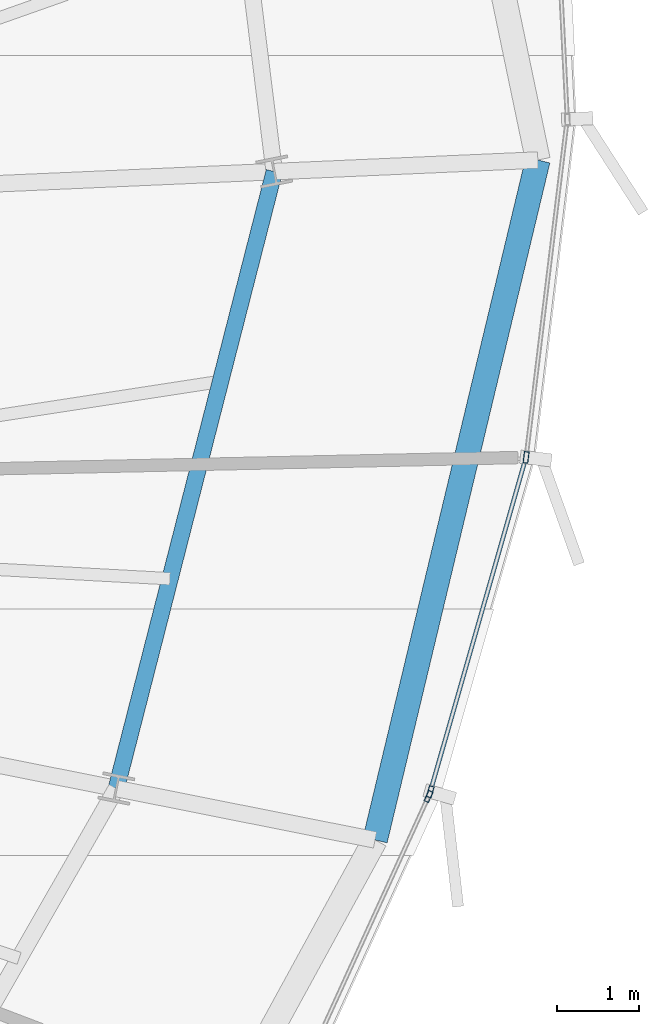
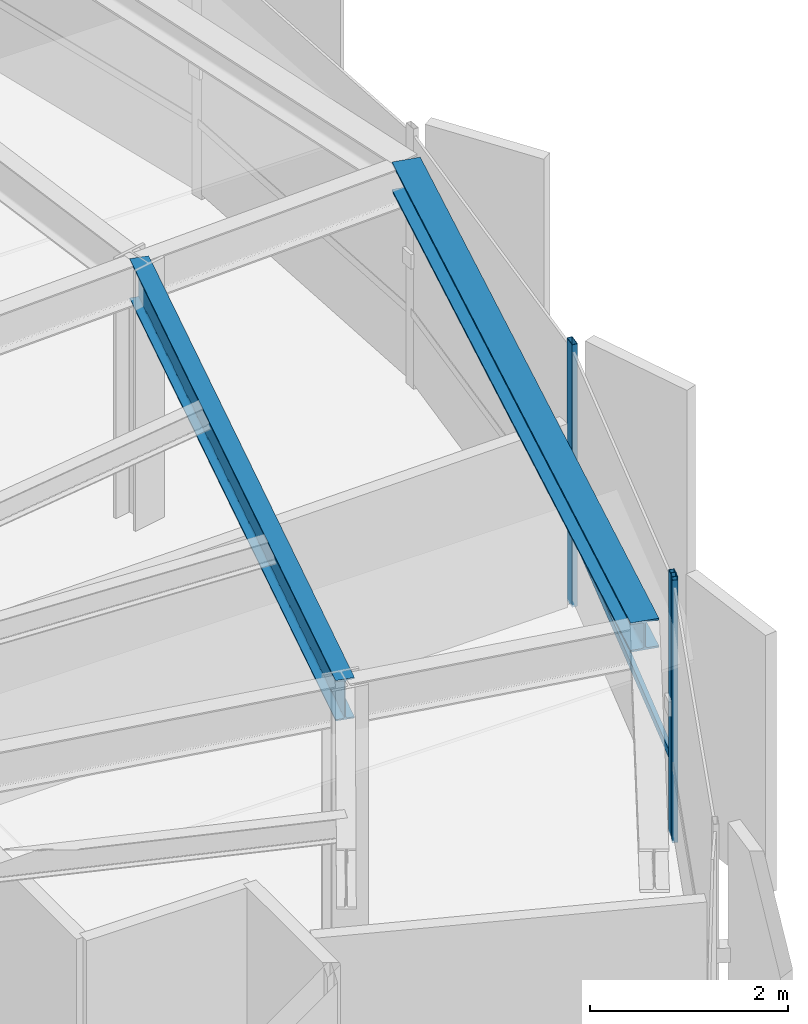
# One storey, part 15 of 34: 4 members, 2 beams, 2 elements without a shape of their own.
"""IFC4 building model written with IfcOpenShell, lengths in metres."""

from ifc_helpers import new_model, si_unit, direction, frame, origin, origin_2d, place, context, subcontext, project, spatial, hollow_rectangle, i_section, extrude, source, transform, mapped, material, layer, layer_set, material_profile, profile_set, type_object, element, aggregate, save


model = new_model("IFC4")

# Units and contexts
model_context = context("Model", 3, precision=1e-05, world=origin(), true_north=direction((0.0, 1.0)))
body_context = subcontext(model_context, "Body", "Model", "MODEL_VIEW")
ifc_project = project(units=[si_unit("LENGTHUNIT", "METRE"), si_unit("AREAUNIT", "SQUARE_METRE"), si_unit("VOLUMEUNIT", "CUBIC_METRE"), si_unit("PLANEANGLEUNIT", "RADIAN"), si_unit("MASSUNIT", "GRAM", prefix="KILO"), si_unit("THERMODYNAMICTEMPERATUREUNIT", "KELVIN")], contexts=[model_context])

# Site, building, storey
site_placement = place(None, origin())
site = spatial("IfcSite", under=ifc_project, at=site_placement, CompositionType="ELEMENT")
building_placement = place(site_placement, origin())
building = spatial("IfcBuilding", under=site, at=building_placement, Name="Kethvar Cultural Tower", CompositionType="ELEMENT")
storey_placement = place(building_placement, frame((0.0, 0.0, 214.89990234375)))
storey = spatial("IfcBuildingStorey", under=building, at=storey_placement, Name="L56", CompositionType="ELEMENT", Elevation=214.89990234375)

# Beams
ifc_material_1 = material(Name="Steel S355J2", Category="steel")
ifc_material_profile_1 = material_profile(ifc_material_1, i_section(OverallWidth=0.199951171875, OverallDepth=0.5, WebThickness=0.01025390625, FlangeThickness=0.01611328125, FilletRadius=0.02099609375, at=origin_2d()), Name="Steel S355J2 — IPE500")
ifc_profile_set_1 = profile_set([ifc_material_profile_1], Name="Steel S355J2 — IPE500")
beam_type_1 = type_object("IfcBeamType", Name="BM-IPE500", PredefinedType="BEAM", material=ifc_profile_set_1)
shared_shape_1 = source(origin(), body_context, "Body", "SweptSolid", [
    extrude(i_section(OverallWidth=0.199951171875, OverallDepth=0.5, WebThickness=0.01025390625, FlangeThickness=0.01611328125, FilletRadius=0.02099609375, at=origin_2d()), origin(), (0.0, 0.0, 1.0), 7.72265625),
])
beam_1_placement = place(storey_placement, frame((64.648681640625, 24.249755859375, 2.988037109375), z_axis=(0.248006445258, 0.968758382214, 0.0), x_axis=(-0.968758382214, 0.248006445258, 0.0)))
element("IfcBeam", 1, at=beam_1_placement, inside=storey, type_object=beam_type_1, Name="L56 Column Ring Tie Beam CR-16", PredefinedType="BEAM", context=body_context, shape_type="MappedRepresentation", body=[
    mapped(shared_shape_1, transform((0.0, 0.0, 0.0), scale=1.0)),
])
ifc_material_profile_2 = material_profile(ifc_material_1, i_section(OverallWidth=0.300048828125, OverallDepth=0.360107421875, WebThickness=0.012451171875, FlangeThickness=0.0224609375, FilletRadius=0.027099609375, at=origin_2d()), Name="Steel S355J2 — HEB360")
ifc_profile_set_2 = profile_set([ifc_material_profile_2], Name="Steel S355J2 — HEB360")
beam_type_2 = type_object("IfcBeamType", Name="BM-SP360", PredefinedType="SPANDREL", material=ifc_profile_set_2)
shared_shape_2 = source(origin(), body_context, "Body", "SweptSolid", [
    extrude(i_section(OverallWidth=0.300048828125, OverallDepth=0.360107421875, WebThickness=0.012451171875, FlangeThickness=0.0224609375, FilletRadius=0.027099609375, at=origin_2d()), origin(), (0.0, 0.0, 1.0), 8.47900390625),
])
beam_2_placement = place(storey_placement, frame((67.787109375, 23.62548828125, 3.05810546875), z_axis=(0.232794647368, 0.97252591336, 0.0), x_axis=(-0.97252591336, 0.232794647368, 0.0)))
element("IfcBeam", 2, at=beam_2_placement, inside=storey, type_object=beam_type_2, Name="L56 Perimeter Spandrel Beam SP-16", PredefinedType="SPANDREL", context=body_context, shape_type="MappedRepresentation", body=[
    mapped(shared_shape_2, transform((0.0, 0.0, 0.0), scale=1.0)),
])

# Curtain wall, member
ifc_material_2 = material(Name="Aluminium 6063-T6", Category="aluminium")
ifc_layer = layer(ifc_material_2, 0.179931640625, Name="Aluminium 6063-T6", Category="aluminium")
ifc_layer_set = layer_set([ifc_layer], Name="Aluminium 6063-T6 (180 mm)")
curtain_wall_type = type_object("IfcCurtainWallType", Name="CW-SYS-04-Z34", PredefinedType="NOTDEFINED", material=ifc_layer_set)
curtain_wall_1_placement = place(storey_placement, origin())
curtain_wall_1 = element("IfcCurtainWall", 3, at=curtain_wall_1_placement, inside=storey, type_object=curtain_wall_type, Name="L56 Curtain Wall Run 05", PredefinedType="NOTDEFINED")
ifc_material_profile_3 = material_profile(ifc_material_2, hollow_rectangle(XDim=0.06005859375, YDim=0.139892578125, WallThickness=0.0048828125, at=origin_2d()), Name="Aluminium 6063-T6 — RHS140x60x5")
ifc_profile_set_3 = profile_set([ifc_material_profile_3], Name="Aluminium 6063-T6 — RHS140x60x5")
member_type_1 = type_object("IfcMemberType", Name="CW-SYS-04-Z34-MUL", PredefinedType="MULLION", material=ifc_profile_set_3)
shared_shape_3 = source(origin(), body_context, "Body", "SweptSolid", [
    extrude(hollow_rectangle(XDim=0.06005859375, YDim=0.139892578125, WallThickness=0.0048828125, at=origin_2d()), origin(), (0.0, 0.0, 1.0), 3.239990234375),
])
member_1_placement = place(storey_placement, frame((68.435546875, 24.1533203125, 0.0), z_axis=(0.0, 0.0, 1.0), x_axis=(-0.910069806128, 0.414455001144, 0.0)))
member_1 = element("IfcMember", 4, at=member_1_placement, type_object=member_type_1, Name="CW-L56-R05 Mullion 7", PredefinedType="MULLION", context=body_context, shape_type="MappedRepresentation", body=[
    mapped(shared_shape_3, transform((0.0, 0.0, 0.0), scale=1.0)),
])
aggregate(curtain_wall_1, [member_1])

# Curtain wall, members
curtain_wall_2_placement = place(storey_placement, origin())
curtain_wall_2 = element("IfcCurtainWall", 5, at=curtain_wall_2_placement, inside=storey, type_object=curtain_wall_type, Name="L56 Curtain Wall Run 06", PredefinedType="NOTDEFINED")
member_2_placement = place(storey_placement, frame((68.456787109375, 24.2109375, 0.0), z_axis=(0.0, 0.0, 1.0), x_axis=(-0.961410689394, 0.275117222869, 0.0)))
member_2 = element("IfcMember", 6, at=member_2_placement, type_object=member_type_1, Name="CW-L56-R06 Mullion 1", PredefinedType="MULLION", context=body_context, shape_type="MappedRepresentation", body=[
    mapped(shared_shape_3, transform((0.0, 0.0, 0.0), scale=1.0)),
])
member_3_placement = place(storey_placement, frame((69.618408203125, 28.265625, 0.0), z_axis=(0.0, 0.0, 1.0), x_axis=(-0.992687983418, 0.120708606058, 0.0)))
member_3 = element("IfcMember", 7, at=member_3_placement, type_object=member_type_1, Name="CW-L56-R06 Mullion 2", PredefinedType="MULLION", context=body_context, shape_type="MappedRepresentation", body=[
    mapped(shared_shape_3, transform((0.0, 0.0, 0.0), scale=1.0)),
])
ifc_material_profile_4 = material_profile(ifc_material_2, hollow_rectangle(XDim=0.050048828125, YDim=0.10009765625, WallThickness=0.00390625, at=origin_2d()), Name="Aluminium 6063-T6 — RHS100x50x4")
ifc_profile_set_4 = profile_set([ifc_material_profile_4], Name="Aluminium 6063-T6 — RHS100x50x4")
member_type_2 = type_object("IfcMemberType", Name="CW-SYS-04-Z34-TRN", PredefinedType="USERDEFINED", material=ifc_profile_set_4)
shared_shape_4 = source(origin(), body_context, "Body", "SweptSolid", [
    extrude(hollow_rectangle(XDim=0.050048828125, YDim=0.10009765625, WallThickness=0.00390625, at=origin_2d()), origin(), (0.0, 0.0, 1.0), 4.187744140625),
])
member_4_placement = place(storey_placement, frame((68.4580078125, 24.21484375, 0.9501953125), z_axis=(0.275113799418, 0.961411669042, 0.0), x_axis=(-0.961411669042, 0.275113799418, 0.0)))
member_4 = element("IfcMember", 8, at=member_4_placement, type_object=member_type_2, Name="CW-L56-R06 Transom 1", ObjectType="TRANSOM", PredefinedType="USERDEFINED", context=body_context, shape_type="MappedRepresentation", body=[
    mapped(shared_shape_4, transform((0.0, 0.0, 0.0), scale=1.0)),
])
aggregate(curtain_wall_2, [member_2, member_3, member_4])

save(model, "model.ifc")
